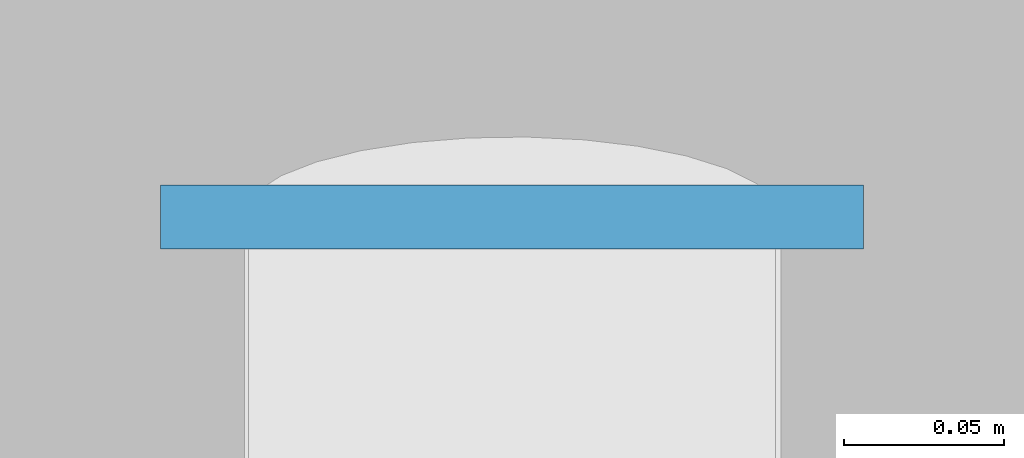
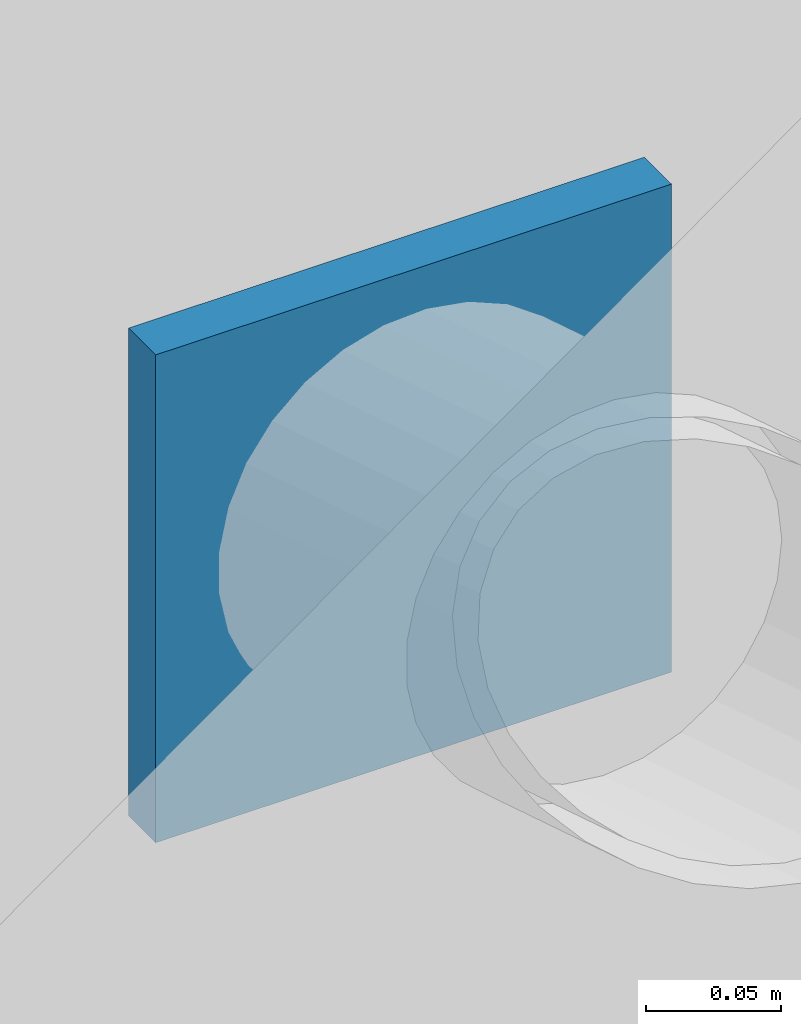
# One storey, part 14 of 24: 1 plate.
"""IFC4 building model written with IfcOpenShell, lengths in metres."""

from ifc_helpers import new_model, si_unit, direction, frame, origin, origin_2d, place, context, subcontext, project, spatial, rectangle, extrude, material, layer, layer_set, type_object, element, save


model = new_model("IFC4")

# Units and contexts
model_context = context("Model", 3, precision=1e-05, world=origin(), true_north=direction((0.0, 1.0)))
body_context = subcontext(model_context, "Body", "Model", "MODEL_VIEW")
ifc_project = project(units=[si_unit("LENGTHUNIT", "METRE"), si_unit("AREAUNIT", "SQUARE_METRE"), si_unit("VOLUMEUNIT", "CUBIC_METRE"), si_unit("PLANEANGLEUNIT", "RADIAN"), si_unit("MASSUNIT", "GRAM", prefix="KILO")], contexts=[model_context])

# Site, building, storey
site_placement = place(None, origin())
site = spatial("IfcSite", under=ifc_project, at=site_placement, CompositionType="ELEMENT")
building_placement = place(site_placement, origin())
building = spatial("IfcBuilding", under=site, at=building_placement, Name="Menara Jurai Vektor", CompositionType="ELEMENT")
storey_placement = place(building_placement, origin())
storey = spatial("IfcBuildingStorey", under=building, at=storey_placement, Name="L00", CompositionType="ELEMENT", Elevation=0.0)

# Plate
ifc_material = material(Name="Steel S355", Category="steel")
ifc_layer = layer(ifc_material, 0.02001953125)
ifc_layer_set = layer_set([ifc_layer], Name="Steel S355")
plate_type = type_object("IfcPlateType", Name="STR-PLT-ANCH20", PredefinedType="SHEET", material=ifc_layer_set)
plate_placement = place(storey_placement, frame((-2.300048828125, -11.5, 2.7900390625), z_axis=(0.0, 0.0, 1.0), x_axis=(1.0, 0.0, 0.0)))
element("IfcPlate", 1, at=plate_placement, inside=storey, type_object=plate_type, Name="Canopy Strut Anchor Plate E2-1", PredefinedType="SHEET", context=body_context, shape_type="SweptSolid", body=[
    extrude(rectangle(XDim=0.219970703125, YDim=0.02001953125, at=origin_2d()), origin(), (0.0, 0.0, 1.0), 0.219970703125),
])

save(model, "model.ifc")
